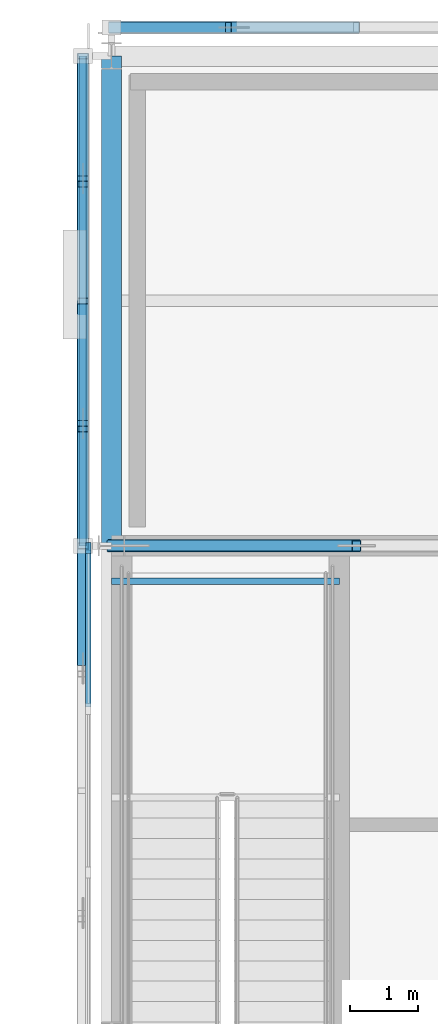
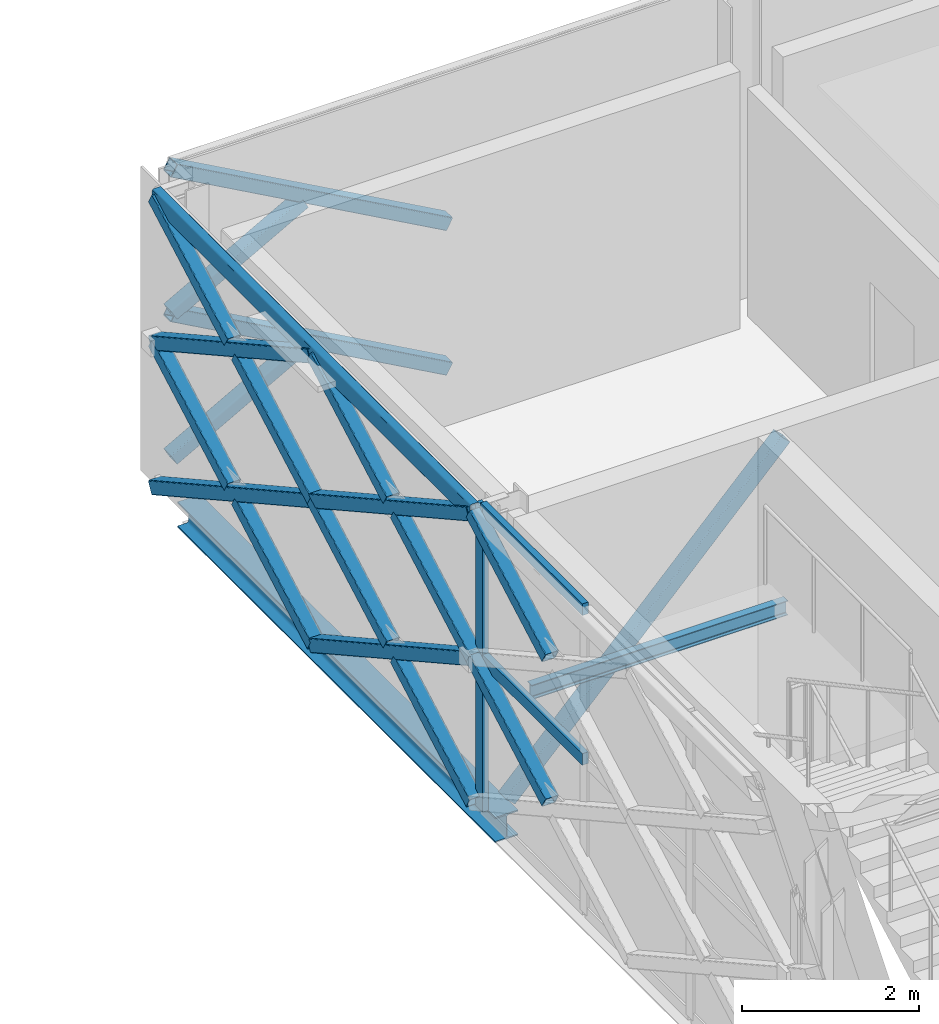
# One storey, part 49 of 126: 23 members, 2 beams, 1 element without a shape of its own.
"""IFC4 building model written with IfcOpenShell, lengths in metres."""

import ifcopenshell
import ifcopenshell.guid

model = None  # the IFC model being written
_history = None  # IfcOwnerHistory: only IFC2X3 demands one
_inside = {}  # id of a spatial element -> (the spatial element, [elements in it])
_under = {}  # id of a project, library or spatial element -> (it, [spatial elements below it])
_declared = {}  # id of a project -> (the project, [libraries it declares])
_typed = {}  # id of a type object -> (the type object, [elements of that type])
_made_of = {}  # id of a material, layer set ... -> (it, [elements and type objects made of it])


def new_model(schema):
    """Start an empty IFC model of exactly this schema.

    Asked for "IFC4X3", IfcOpenShell would pick the latest addendum, in which some entities
    have other attributes; the version numbers below select the first issue.
    IFC2X3 requires an IfcOwnerHistory on every rooted entity: one is made here for all.
    """
    global model, _history
    if schema == "IFC4X3":
        model = ifcopenshell.file(schema_version=(4, 3, 0, 0))
    else:
        model = ifcopenshell.file(schema=schema)
    _inside.clear()
    _under.clear()
    _declared.clear()
    _typed.clear()
    _made_of.clear()
    _history = None
    if model.schema == "IFC2X3":
        org = make("IfcOrganization", Name="unknown")
        user = make(
            "IfcPersonAndOrganization",
            ThePerson=make("IfcPerson", FamilyName="unknown"),
            TheOrganization=org,
        )
        app = make(
            "IfcApplication",
            ApplicationDeveloper=org,
            Version="unknown",
            ApplicationFullName="unknown",
            ApplicationIdentifier="unknown",
        )
        _history = make(
            "IfcOwnerHistory",
            OwningUser=user,
            OwningApplication=app,
            ChangeAction="ADDED",
            CreationDate=0,
        )
    return model


def make(cls, **values):
    """One entity of the class cls with the attributes given. An attribute that is None is left unset."""
    return model.create_entity(
        cls, **{name: value for name, value in values.items() if value is not None}
    )


def rooted(cls, **values):
    """An entity with a GlobalId (a new one), such as an element, a storey or a relation."""
    return make(cls, GlobalId=ifcopenshell.guid.new(), OwnerHistory=_history, **values)


def si_unit(unit_type, name, prefix=None):
    """IfcSIUnit, for example si_unit("LENGTHUNIT", "METRE", prefix="MILLI")."""
    return make("IfcSIUnit", UnitType=unit_type, Prefix=prefix, Name=name)


def assignment(units):
    """IfcUnitAssignment: the units of a project."""
    return None if units is None else make("IfcUnitAssignment", Units=units)


def point(xyz):
    """IfcCartesianPoint."""
    return None if xyz is None else make("IfcCartesianPoint", Coordinates=xyz)


def direction(xyz):
    """IfcDirection."""
    return None if xyz is None else make("IfcDirection", DirectionRatios=xyz)


def frame(location, z_axis=None, x_axis=None):
    """IfcAxis2Placement3D, a coordinate frame: its origin and axes. An axis left out is left unset."""
    return make(
        "IfcAxis2Placement3D",
        Location=point(location),
        Axis=direction(z_axis),
        RefDirection=direction(x_axis),
    )


def frame_2d(location, x_axis=None):
    """IfcAxis2Placement2D, a coordinate frame in the plane: its origin and x axis."""
    return make(
        "IfcAxis2Placement2D", Location=point(location), RefDirection=direction(x_axis)
    )


def origin():
    """The frame at (0, 0, 0) with its axes left unset."""
    return frame((0.0, 0.0, 0.0))


def origin_2d():
    """The frame at (0, 0) in the plane with its x axis left unset."""
    return frame_2d((0.0, 0.0))


def place(relative_to, where):
    """IfcLocalPlacement: puts the frame where relative to a parent placement (None: the world)."""
    return make(
        "IfcLocalPlacement", PlacementRelTo=relative_to, RelativePlacement=where
    )


def context(
    kind, dimensions, precision=None, world=None, true_north=None, identifier=None
):
    """IfcGeometricRepresentationContext, for example the 3D "Model" context."""
    return make(
        "IfcGeometricRepresentationContext",
        ContextIdentifier=identifier,
        ContextType=kind,
        CoordinateSpaceDimension=dimensions,
        Precision=precision,
        WorldCoordinateSystem=world,
        TrueNorth=true_north,
    )


def subcontext(parent, identifier, kind, view, scale=None):
    """IfcGeometricRepresentationSubContext, for example "Body" below "Model"."""
    return make(
        "IfcGeometricRepresentationSubContext",
        ContextIdentifier=identifier,
        ContextType=kind,
        ParentContext=parent,
        TargetScale=scale,
        TargetView=view,
    )


def project(units=None, contexts=None):
    """IfcProject with its units and contexts."""
    return rooted(
        "IfcProject",
        Name="project",
        RepresentationContexts=contexts,
        UnitsInContext=assignment(units),
    )


def spatial(cls, under=None, at=None, **own):
    """A site, building, storey or space (cls), placed at a placement, below another one or the project."""
    s = rooted(cls, ObjectPlacement=at, **own)
    if under is not None:
        _under.setdefault(under.id(), (under, []))[1].append(s)
    return s


def profile(cls, at=None, kind="AREA", **sizes):
    """A parametric profile (cls). Its sizes go by their IFC names, for example OverallWidth=200.0."""
    return make(cls, ProfileType=kind, Position=at, **sizes)


def rectangle(**sizes):
    """IfcRectangleProfileDef."""
    return profile("IfcRectangleProfileDef", **sizes)


def hollow_rectangle(**sizes):
    """IfcRectangleHollowProfileDef."""
    return profile("IfcRectangleHollowProfileDef", **sizes)


def i_section(**sizes):
    """IfcIShapeProfileDef."""
    return profile("IfcIShapeProfileDef", **sizes)


def extrude(swept, where, along, depth):
    """IfcExtrudedAreaSolid: the profile swept, set in the frame where, extruded along a direction by depth."""
    return make(
        "IfcExtrudedAreaSolid",
        SweptArea=swept,
        Position=where,
        ExtrudedDirection=direction(along),
        Depth=depth,
    )


def shape(context_of_items, identifier, shape_type, items):
    """IfcShapeRepresentation: the items that make up one representation, for example the "Body"."""
    return make(
        "IfcShapeRepresentation",
        ContextOfItems=context_of_items,
        RepresentationIdentifier=identifier,
        RepresentationType=shape_type,
        Items=items,
    )


def material(Name=None, Category=None):
    """IfcMaterial."""
    return make("IfcMaterial", Name=Name, Category=Category)


def material_profile(
    of_material, cross_section, Name=None, Category=None, Priority=None
):
    """IfcMaterialProfile: a cross section and its material."""
    return make(
        "IfcMaterialProfile",
        Name=Name,
        Material=of_material,
        Profile=cross_section,
        Priority=Priority,
        Category=Category,
    )


def profile_set(profiles, Name=None, composite=None):
    """IfcMaterialProfileSet."""
    return make(
        "IfcMaterialProfileSet",
        Name=Name,
        MaterialProfiles=profiles,
        CompositeProfile=composite,
    )


def made_of(thing, what):
    """Note that an element or type object is made of a material, layer set ...; save() writes the relation."""
    if what is not None:
        _made_of.setdefault(what.id(), (what, []))[1].append(thing)
    return thing


def type_object(cls, material=None, **own):
    """A type object (cls), such as IfcWallType, which elements share."""
    return made_of(rooted(cls, **own), material)


def element(
    cls,
    number,
    at=None,
    inside=None,
    cuts=None,
    type_object=None,
    material=None,
    context=None,
    identifier="Body",
    shape_type=None,
    held_by="IfcProductDefinitionShape",
    body=None,
    shapes=None,
    **own,
):
    """One element of the class cls, such as IfcWall. Its Tag is "e" and its number.

    at: its placement. inside: the storey or other place that contains it. cuts: it is an
    opening in that element (IfcRelVoidsElement). A single representation is given by context,
    identifier, shape_type and body (its items); several are given by shapes. held_by: the class
    of the entity that holds the representations. save() writes the other relations.
    """
    e = rooted(cls, Tag="e%d" % number, ObjectPlacement=at, **own)
    if body is not None:
        shapes = [shape(context, identifier, shape_type, body)]
    if shapes is not None:
        e.Representation = make(held_by, Representations=shapes)
    if inside is not None:
        _inside.setdefault(inside.id(), (inside, []))[1].append(e)
    if cuts is not None:
        rooted(
            "IfcRelVoidsElement", RelatingBuildingElement=cuts, RelatedOpeningElement=e
        )
    if type_object is not None:
        _typed.setdefault(type_object.id(), (type_object, []))[1].append(e)
    return made_of(e, material)


def aggregate(whole, parts):
    """IfcRelAggregates: a whole, such as a stair, and the parts it consists of."""
    return rooted("IfcRelAggregates", RelatingObject=whole, RelatedObjects=parts)


def save(model, path):
    """Write the relations noted so far, then the file.

    IfcRelAggregates (storeys below a building ...), IfcRelContainedInSpatialStructure (elements
    in a storey), IfcRelDefinesByType, IfcRelAssociatesMaterial and IfcRelDeclares: one each for
    every whole, place, type object, material and project.
    """
    for whole, parts in _under.values():
        aggregate(whole, parts)
    for where, things in _inside.values():
        rooted(
            "IfcRelContainedInSpatialStructure",
            RelatedElements=things,
            RelatingStructure=where,
        )
    for kind, things in _typed.values():
        rooted("IfcRelDefinesByType", RelatedObjects=things, RelatingType=kind)
    for what, things in _made_of.values():
        rooted("IfcRelAssociatesMaterial", RelatedObjects=things, RelatingMaterial=what)
    for by, libraries in _declared.values():
        rooted("IfcRelDeclares", RelatingContext=by, RelatedDefinitions=libraries)
    model.write(path)


model = new_model("IFC4")

# Units and contexts
model_context = context("Model", 3, precision=1e-05, world=origin(), true_north=direction((0.0, 1.0)))
body_context = subcontext(model_context, "Body", "Model", "MODEL_VIEW")
ifc_project = project(units=[si_unit("LENGTHUNIT", "METRE"), si_unit("AREAUNIT", "SQUARE_METRE"), si_unit("VOLUMEUNIT", "CUBIC_METRE"), si_unit("PLANEANGLEUNIT", "RADIAN"), si_unit("MASSUNIT", "GRAM", prefix="KILO")], contexts=[model_context])

# Site, building, storey
site_placement = place(None, origin())
site = spatial("IfcSite", under=ifc_project, at=site_placement, CompositionType="ELEMENT")
building_placement = place(site_placement, origin())
building = spatial("IfcBuilding", under=site, at=building_placement, Name="Zlatovets Crest Museum", CompositionType="ELEMENT")
storey_placement = place(building_placement, frame((0.0, 0.0, 8.699951171875)))
storey = spatial("IfcBuildingStorey", under=building, at=storey_placement, Name="L02", CompositionType="ELEMENT", Elevation=8.699951171875)

# Beams
ifc_material_1 = material(Name="Structural steel S355J2", Category="steel")
ifc_material_profile_1 = material_profile(ifc_material_1, i_section(OverallWidth=0.300048828125, OverallDepth=0.35009765625, WebThickness=0.010009765625, FlangeThickness=0.017578125, FilletRadius=0.027099609375, at=origin_2d()), Name="HEA 360")
ifc_profile_set_1 = profile_set([ifc_material_profile_1], Name="Structural steel S355J2")
beam_type_1 = type_object("IfcBeamType", Name="Beam_B-03", PredefinedType="BEAM", material=ifc_profile_set_1)
beam_1_placement = place(storey_placement, frame((57.60009765625, 108.0, -0.39501953125), z_axis=(0.0, 1.0, 0.0), x_axis=(-1.0, 0.0, 0.0)))
element("IfcBeam", 1, at=beam_1_placement, inside=storey, type_object=beam_type_1, Name="V1 L02 Grid Beam B-03", PredefinedType="BEAM", context=body_context, shape_type="SweptSolid", body=[
    extrude(i_section(OverallWidth=0.300048828125, OverallDepth=0.35009765625, WebThickness=0.010009765625, FlangeThickness=0.017578125, FilletRadius=0.027099609375, at=origin_2d()), origin(), (0.0, 0.0, 1.0), 7.199951171875),
])
ifc_material_profile_2 = material_profile(ifc_material_1, i_section(OverallWidth=0.10009765625, OverallDepth=0.199951171875, WebThickness=0.005615234375, FlangeThickness=0.008544921875, FilletRadius=0.011962890625, at=origin_2d()), Name="IPE 200")
ifc_profile_set_2 = profile_set([ifc_material_profile_2], Name="Structural steel S355J2")
beam_type_2 = type_object("IfcBeamType", Name="Beam_PR-02", PredefinedType="LINTEL", material=ifc_profile_set_2)
beam_2_placement = place(storey_placement, frame((57.60009765625, 107.47998046875, 1.800048828125), z_axis=(1.0, 0.0, 0.0), x_axis=(0.0, 1.0, 0.0)))
element("IfcBeam", 2, at=beam_2_placement, inside=storey, type_object=beam_type_2, Name="Core C1 L02 Half-Landing Support Beam", PredefinedType="LINTEL", context=body_context, shape_type="SweptSolid", body=[
    extrude(i_section(OverallWidth=0.10009765625, OverallDepth=0.199951171875, WebThickness=0.005615234375, FlangeThickness=0.008544921875, FilletRadius=0.011962890625, at=origin_2d()), origin(), (0.0, 0.0, 1.0), 3.349853515625),
])

# Curtain wall, members
ifc_material_2 = material(Name="Bronze-anodised aluminium and low-E triple glass", Category="aluminium")
curtain_wall_type = type_object("IfcCurtainWallType", Name="CW_CW-V1-L02-M3", PredefinedType="NOTDEFINED", material=ifc_material_2)
curtain_wall_placement = place(storey_placement, origin())
curtain_wall = element("IfcCurtainWall", 3, at=curtain_wall_placement, inside=storey, type_object=curtain_wall_type, Name="V1 L02 Expressed Core Glazed Facade", PredefinedType="NOTDEFINED")
ifc_material_3 = material(Name="Bronze-anodised aluminium EN AW-6060", Category="aluminium")
ifc_material_profile_3 = material_profile(ifc_material_3, rectangle(XDim=0.080078125, YDim=0.159912109375, at=origin_2d()), Name="ALU 80x160")
ifc_profile_set_3 = profile_set([ifc_material_profile_3], Name="Bronze-anodised aluminium EN AW-6060")
member_type_1 = type_object("IfcMemberType", Name="CWMull_M1", PredefinedType="MULLION", material=ifc_profile_set_3)
member_1_placement = place(storey_placement, frame((57.260009765625, 107.969970703125, 0.0), z_axis=(0.0, 0.0, 1.0), x_axis=(1.0, 0.0, 0.0)))
member_1 = element("IfcMember", 4, at=member_1_placement, type_object=member_type_1, Name="CW-V1-L02-M3 mullion 1", PredefinedType="MULLION", context=body_context, shape_type="SweptSolid", body=[
    extrude(rectangle(XDim=0.080078125, YDim=0.159912109375, at=origin_2d()), origin(), (0.0, 0.0, 1.0), 4.199951171875),
])
ifc_material_profile_4 = material_profile(ifc_material_3, rectangle(XDim=0.080078125, YDim=0.159912109375, at=origin_2d()), Name="ALU 80x160")
ifc_profile_set_4 = profile_set([ifc_material_profile_4], Name="Bronze-anodised aluminium EN AW-6060")
member_type_2 = type_object("IfcMemberType", Name="CWTrans_T1", PredefinedType="USERDEFINED", material=ifc_profile_set_4)
member_2_placement = place(storey_placement, frame((57.260009765625, 107.93994140625, 2.10009765625), z_axis=(0.0, -1.0, 0.0), x_axis=(1.0, 0.0, 0.0)))
member_2 = element("IfcMember", 5, at=member_2_placement, type_object=member_type_2, Name="CW-V1-L02-M3 transom 1.2", ObjectType="TRANSOM", PredefinedType="USERDEFINED", context=body_context, shape_type="SweptSolid", body=[
    extrude(rectangle(XDim=0.080078125, YDim=0.159912109375, at=origin_2d()), origin(), (0.0, 0.0, 1.0), 2.31005859375),
])
member_3_placement = place(storey_placement, frame((57.260009765625, 107.93994140625, 4.170166015625), z_axis=(0.0, -1.0, 0.0), x_axis=(1.0, 0.0, 0.0)))
member_3 = element("IfcMember", 6, at=member_3_placement, type_object=member_type_2, Name="CW-V1-L02-M3 transom 1.3", ObjectType="TRANSOM", PredefinedType="USERDEFINED", context=body_context, shape_type="SweptSolid", body=[
    extrude(rectangle(XDim=0.080078125, YDim=0.159912109375, at=origin_2d()), origin(), (0.0, 0.0, 1.0), 2.31005859375),
])
aggregate(curtain_wall, [member_1, member_2, member_3])

# Members
ifc_material_4 = material(Name="Weathering bronze-steel S355J2W", Category="steel")
ifc_material_profile_5 = material_profile(ifc_material_4, hollow_rectangle(XDim=0.179931640625, YDim=0.179931640625, WallThickness=0.010009765625, InnerFilletRadius=0.010009765625, OuterFilletRadius=0.02001953125, at=origin_2d()), Name="SHS 180x180x10.0")
ifc_profile_set_5 = profile_set([ifc_material_profile_5], Name="Weathering bronze-steel S355J2W")
member_type_3 = type_object("IfcMemberType", Name="Lattice_XL-01", PredefinedType="BRACE", material=ifc_profile_set_5)
member_4_placement = place(storey_placement, frame((61.199951171875, 115.6201171875, 0.10009765625), z_axis=(-0.874148886685, 0.0, 0.485658031857), x_axis=(0.0, -1.0, 0.0)))
element("IfcMember", 7, at=member_4_placement, inside=storey, type_object=member_type_3, Name="Continuous Bronze Lattice Diagonal", PredefinedType="BRACE", context=body_context, shape_type="SweptSolid", body=[
    extrude(hollow_rectangle(XDim=0.179931640625, YDim=0.179931640625, WallThickness=0.010009765625, InnerFilletRadius=0.010009765625, OuterFilletRadius=0.02001953125, at=origin_2d()), origin(), (0.0, 0.0, 1.0), 4.1181640625),
])
member_5_placement = place(storey_placement, frame((59.31689453125, 115.6201171875, 1.053955078125), z_axis=(-0.874139684676, 0.0, -0.48567459443), x_axis=(0.0, -1.0, 0.0)))
element("IfcMember", 8, at=member_5_placement, inside=storey, type_object=member_type_3, Name="Split Crossing Bronze Lattice Diagonal Lower", PredefinedType="BRACE", context=body_context, shape_type="SweptSolid", body=[
    extrude(hollow_rectangle(XDim=0.179931640625, YDim=0.179931640625, WallThickness=0.010009765625, InnerFilletRadius=0.010009765625, OuterFilletRadius=0.02001953125, at=origin_2d()), origin(), (0.0, 0.0, 1.0), 1.9638671875),
])
member_6_placement = place(storey_placement, frame((61.199951171875, 115.6201171875, 2.10009765625), z_axis=(-0.874148886685, 0.0, 0.485658031857), x_axis=(0.0, -1.0, 0.0)))
element("IfcMember", 9, at=member_6_placement, inside=storey, type_object=member_type_3, Name="Continuous Bronze Lattice Diagonal", PredefinedType="BRACE", context=body_context, shape_type="SweptSolid", body=[
    extrude(hollow_rectangle(XDim=0.179931640625, YDim=0.179931640625, WallThickness=0.010009765625, InnerFilletRadius=0.010009765625, OuterFilletRadius=0.02001953125, at=origin_2d()), origin(), (0.0, 0.0, 1.0), 4.1181640625),
])
member_7_placement = place(storey_placement, frame((59.31689453125, 115.6201171875, 3.053955078125), z_axis=(-0.874139684676, 0.0, -0.48567459443), x_axis=(0.0, -1.0, 0.0)))
element("IfcMember", 10, at=member_7_placement, inside=storey, type_object=member_type_3, Name="Split Crossing Bronze Lattice Diagonal Lower", PredefinedType="BRACE", context=body_context, shape_type="SweptSolid", body=[
    extrude(hollow_rectangle(XDim=0.179931640625, YDim=0.179931640625, WallThickness=0.010009765625, InnerFilletRadius=0.010009765625, OuterFilletRadius=0.02001953125, at=origin_2d()), origin(), (0.0, 0.0, 1.0), 1.9638671875),
])
member_8_placement = place(storey_placement, frame((57.179931640625, 115.199951171875, 0.10009765625), z_axis=(0.0, -0.874148886685, 0.485658031857), x_axis=(1.0, 0.0, 0.0)))
element("IfcMember", 11, at=member_8_placement, inside=storey, type_object=member_type_3, Name="Continuous Bronze Lattice Diagonal", PredefinedType="BRACE", context=body_context, shape_type="SweptSolid", body=[
    extrude(hollow_rectangle(XDim=0.179931640625, YDim=0.179931640625, WallThickness=0.010009765625, InnerFilletRadius=0.010009765625, OuterFilletRadius=0.02001953125, at=origin_2d()), origin(), (0.0, 0.0, 1.0), 4.1181640625),
])
member_9_placement = place(storey_placement, frame((57.179931640625, 115.199951171875, 2.10009765625), z_axis=(0.0, -0.874169001841, -0.485621824284), x_axis=(1.0, 0.0, 0.0)))
element("IfcMember", 12, at=member_9_placement, inside=storey, type_object=member_type_3, Name="Split Crossing Bronze Lattice Diagonal Upper", PredefinedType="BRACE", context=body_context, shape_type="SweptSolid", body=[
    extrude(hollow_rectangle(XDim=0.179931640625, YDim=0.179931640625, WallThickness=0.010009765625, InnerFilletRadius=0.010009765625, OuterFilletRadius=0.02001953125, at=origin_2d()), origin(), (0.0, 0.0, 1.0), 1.964111328125),
])
member_10_placement = place(storey_placement, frame((57.179931640625, 113.31689453125, 1.053955078125), z_axis=(0.0, -0.874139684676, -0.48567459443), x_axis=(1.0, 0.0, 0.0)))
element("IfcMember", 13, at=member_10_placement, inside=storey, type_object=member_type_3, Name="Split Crossing Bronze Lattice Diagonal Lower", PredefinedType="BRACE", context=body_context, shape_type="SweptSolid", body=[
    extrude(hollow_rectangle(XDim=0.179931640625, YDim=0.179931640625, WallThickness=0.010009765625, InnerFilletRadius=0.010009765625, OuterFilletRadius=0.02001953125, at=origin_2d()), origin(), (0.0, 0.0, 1.0), 1.9638671875),
])
member_11_placement = place(storey_placement, frame((57.179931640625, 111.60009765625, 0.10009765625), z_axis=(0.0, -0.874162868644, 0.485632864501), x_axis=(1.0, 0.0, 0.0)))
element("IfcMember", 14, at=member_11_placement, inside=storey, type_object=member_type_3, Name="Continuous Bronze Lattice Diagonal", PredefinedType="BRACE", context=body_context, shape_type="SweptSolid", body=[
    extrude(hollow_rectangle(XDim=0.179931640625, YDim=0.179931640625, WallThickness=0.010009765625, InnerFilletRadius=0.010009765625, OuterFilletRadius=0.02001953125, at=origin_2d()), origin(), (0.0, 0.0, 1.0), 4.118408203125),
])
for number, where, z_axis, x_axis, name in (
    (15, (57.179931640625, 111.60009765625, 2.10009765625), (0.0, -0.874169001841, -0.485621824284), (1.0, 0.0, 0.0), "Split Crossing Bronze Lattice Diagonal Upper"),
    (16, (57.179931640625, 109.717041015625, 1.053955078125), (0.0, -0.874169001841, -0.485621824284), (1.0, 0.0, 0.0), "Split Crossing Bronze Lattice Diagonal Lower"),
):
    element("IfcMember", number, at=place(storey_placement, frame(where, z_axis=z_axis, x_axis=x_axis)), inside=storey, type_object=member_type_3, Name=name, PredefinedType="BRACE", context=body_context, shape_type="SweptSolid", body=[
        extrude(hollow_rectangle(XDim=0.179931640625, YDim=0.179931640625, WallThickness=0.010009765625, InnerFilletRadius=0.010009765625, OuterFilletRadius=0.02001953125, at=origin_2d()), origin(), (0.0, 0.0, 1.0), 1.964111328125),
    ])
member_12_placement = place(storey_placement, frame((57.179931640625, 115.199951171875, 2.10009765625), z_axis=(0.0, -0.874148886685, 0.485658031857), x_axis=(1.0, 0.0, 0.0)))
element("IfcMember", 17, at=member_12_placement, inside=storey, type_object=member_type_3, Name="Continuous Bronze Lattice Diagonal", PredefinedType="BRACE", context=body_context, shape_type="SweptSolid", body=[
    extrude(hollow_rectangle(XDim=0.179931640625, YDim=0.179931640625, WallThickness=0.010009765625, InnerFilletRadius=0.010009765625, OuterFilletRadius=0.02001953125, at=origin_2d()), origin(), (0.0, 0.0, 1.0), 4.1181640625),
])
member_13_placement = place(storey_placement, frame((57.179931640625, 115.199951171875, 4.10009765625), z_axis=(0.0, -0.874169001841, -0.485621824284), x_axis=(1.0, 0.0, 0.0)))
element("IfcMember", 18, at=member_13_placement, inside=storey, type_object=member_type_3, Name="Split Crossing Bronze Lattice Diagonal Upper", PredefinedType="BRACE", context=body_context, shape_type="SweptSolid", body=[
    extrude(hollow_rectangle(XDim=0.179931640625, YDim=0.179931640625, WallThickness=0.010009765625, InnerFilletRadius=0.010009765625, OuterFilletRadius=0.02001953125, at=origin_2d()), origin(), (0.0, 0.0, 1.0), 1.964111328125),
])
member_14_placement = place(storey_placement, frame((57.179931640625, 113.31689453125, 3.053955078125), z_axis=(0.0, -0.874139684676, -0.48567459443), x_axis=(1.0, 0.0, 0.0)))
element("IfcMember", 19, at=member_14_placement, inside=storey, type_object=member_type_3, Name="Split Crossing Bronze Lattice Diagonal Lower", PredefinedType="BRACE", context=body_context, shape_type="SweptSolid", body=[
    extrude(hollow_rectangle(XDim=0.179931640625, YDim=0.179931640625, WallThickness=0.010009765625, InnerFilletRadius=0.010009765625, OuterFilletRadius=0.02001953125, at=origin_2d()), origin(), (0.0, 0.0, 1.0), 1.9638671875),
])
member_15_placement = place(storey_placement, frame((57.179931640625, 111.60009765625, 2.10009765625), z_axis=(0.0, -0.874162868644, 0.485632864501), x_axis=(1.0, 0.0, 0.0)))
element("IfcMember", 20, at=member_15_placement, inside=storey, type_object=member_type_3, Name="Continuous Bronze Lattice Diagonal", PredefinedType="BRACE", context=body_context, shape_type="SweptSolid", body=[
    extrude(hollow_rectangle(XDim=0.179931640625, YDim=0.179931640625, WallThickness=0.010009765625, InnerFilletRadius=0.010009765625, OuterFilletRadius=0.02001953125, at=origin_2d()), origin(), (0.0, 0.0, 1.0), 4.118408203125),
])
for number, where, z_axis, x_axis, name in (
    (21, (57.179931640625, 111.60009765625, 4.10009765625), (0.0, -0.874169001841, -0.485621824284), (1.0, 0.0, 0.0), "Split Crossing Bronze Lattice Diagonal Upper"),
    (22, (57.179931640625, 109.717041015625, 3.053955078125), (0.0, -0.874169001841, -0.485621824284), (1.0, 0.0, 0.0), "Split Crossing Bronze Lattice Diagonal Lower"),
    (23, (57.179931640625, 108.0, 2.10009765625), (0.0, -0.874169001841, -0.485621824284), (1.0, 0.0, 0.0), "Split Crossing Bronze Lattice Diagonal Upper"),
    (24, (57.179931640625, 108.0, 4.10009765625), (0.0, -0.874169001841, -0.485621824284), (1.0, 0.0, 0.0), "Split Crossing Bronze Lattice Diagonal Upper"),
):
    element("IfcMember", number, at=place(storey_placement, frame(where, z_axis=z_axis, x_axis=x_axis)), inside=storey, type_object=member_type_3, Name=name, PredefinedType="BRACE", context=body_context, shape_type="SweptSolid", body=[
        extrude(hollow_rectangle(XDim=0.179931640625, YDim=0.179931640625, WallThickness=0.010009765625, InnerFilletRadius=0.010009765625, OuterFilletRadius=0.02001953125, at=origin_2d()), origin(), (0.0, 0.0, 1.0), 1.964111328125),
    ])
ifc_material_profile_6 = material_profile(ifc_material_4, hollow_rectangle(XDim=0.1201171875, YDim=0.239990234375, WallThickness=0.010009765625, InnerFilletRadius=0.010009765625, OuterFilletRadius=0.02001953125, at=origin_2d()), Name="RHS 120x240x10.0")
ifc_profile_set_6 = profile_set([ifc_material_profile_6], Name="Weathering bronze-steel S355J2W")
member_type_4 = type_object("IfcMemberType", Name="Lattice_XL-04", PredefinedType="CHORD", material=ifc_profile_set_6)
member_16_placement = place(storey_placement, frame((57.179931640625, 115.199951171875, 4.10009765625), z_axis=(0.0, -1.0, 0.0), x_axis=(1.0, 0.0, 0.0)))
element("IfcMember", 25, at=member_16_placement, inside=storey, type_object=member_type_4, Name="Art Nouveau Woven Cage Collector Ring Chord", PredefinedType="CHORD", context=body_context, shape_type="SweptSolid", body=[
    extrude(hollow_rectangle(XDim=0.1201171875, YDim=0.239990234375, WallThickness=0.010009765625, InnerFilletRadius=0.010009765625, OuterFilletRadius=0.02001953125, at=origin_2d()), origin(), (0.0, 0.0, 1.0), 7.199951171875),
])
ifc_material_profile_7 = material_profile(ifc_material_1, hollow_rectangle(XDim=0.179931640625, YDim=0.179931640625, WallThickness=0.010009765625, InnerFilletRadius=0.010009765625, OuterFilletRadius=0.02001953125, at=origin_2d()), Name="SHS 180x180x10.0")
ifc_profile_set_7 = profile_set([ifc_material_profile_7], Name="Structural steel S355J2")
member_type_5 = type_object("IfcMemberType", Name="Member_BR-02", PredefinedType="BRACE", material=ifc_profile_set_7)
member_17_placement = place(storey_placement, frame((57.60009765625, 108.0, 0.0), z_axis=(0.692517163318, 0.0, 0.721401399021), x_axis=(0.0, 1.0, 0.0)))
element("IfcMember", 26, at=member_17_placement, inside=storey, type_object=member_type_5, Name="V1 L02 Concentric Seismic Brace", PredefinedType="BRACE", context=body_context, shape_type="SweptSolid", body=[
    extrude(hollow_rectangle(XDim=0.179931640625, YDim=0.179931640625, WallThickness=0.010009765625, InnerFilletRadius=0.010009765625, OuterFilletRadius=0.02001953125, at=origin_2d()), origin(), (0.0, 0.0, 1.0), 5.1982421875),
])

save(model, "model.ifc")
